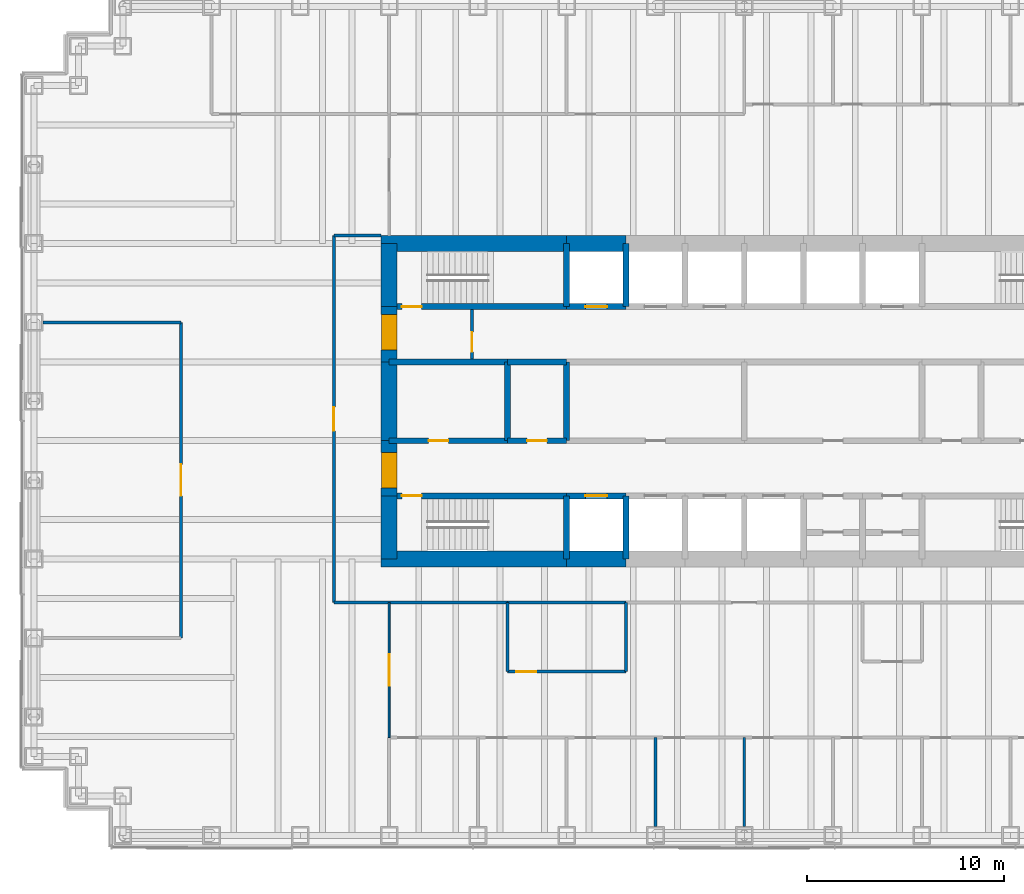
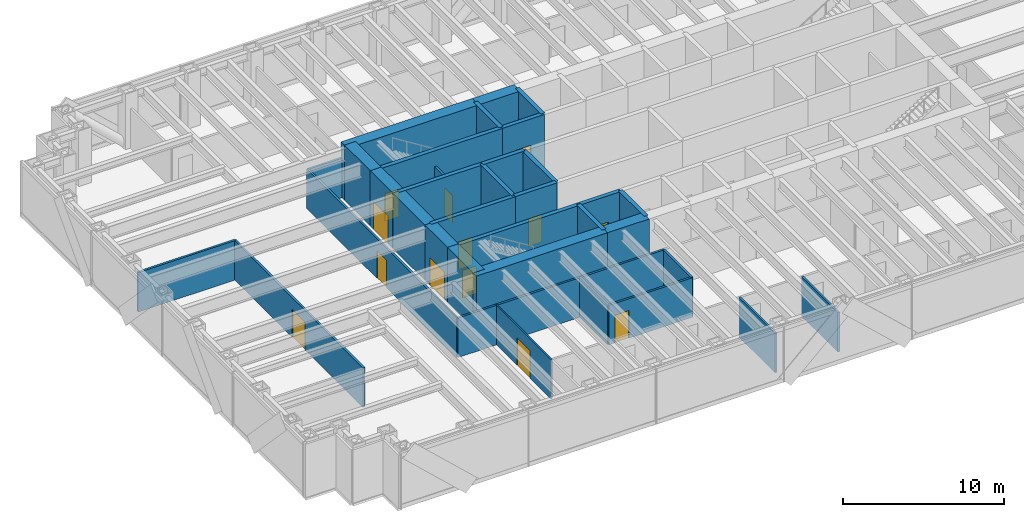
# One storey, part 10 of 14: 36 walls, 13 doors, 13 openings.
"""IFC4 building model written with IfcOpenShell, lengths in metres."""

from ifc_helpers import new_model, si_unit, direction, frame, frame_2d, origin, place, context, subcontext, project, spatial, rectangle, extrude, material, layer, layer_set, type_object, element, fill, save


model = new_model("IFC4")

# Units and contexts
model_context = context("Model", 3, precision=1e-05, world=origin(), true_north=direction((0.0, 1.0)))
body_context = subcontext(model_context, "Body", "Model", "MODEL_VIEW")
ifc_project = project(units=[si_unit("LENGTHUNIT", "METRE"), si_unit("AREAUNIT", "SQUARE_METRE"), si_unit("VOLUMEUNIT", "CUBIC_METRE"), si_unit("PLANEANGLEUNIT", "RADIAN"), si_unit("MASSUNIT", "GRAM", prefix="KILO")], contexts=[model_context])

# Site, building, storey
site_placement = place(None, origin())
site = spatial("IfcSite", under=ifc_project, at=site_placement, CompositionType="ELEMENT")
building_placement = place(site_placement, origin())
building = spatial("IfcBuilding", under=site, at=building_placement, Name="Rheinbord Bourse Tower", CompositionType="ELEMENT")
storey_placement = place(building_placement, frame((0.0, 0.0, 211.0)))
storey = spatial("IfcBuildingStorey", under=building, at=storey_placement, Name="L47", CompositionType="ELEMENT", Elevation=211.0)

# Wall, opening, door
ifc_material_1 = material(Name="Concrete C50/60", Category="concrete")
ifc_layer_1 = layer(ifc_material_1, 0.300048828125)
ifc_layer_set_1 = layer_set([ifc_layer_1], Name="CORE INNER WALL 300")
wall_type_1 = type_object("IfcWallType", Name="CORE INNER WALL 300", PredefinedType="SOLIDWALL", material=ifc_layer_set_1)
wall_1_placement = place(storey_placement, frame((18.0, 19.199951171875, 0.0), z_axis=(0.0, 0.0, 1.0), x_axis=(1.0, 0.0, 0.0)))
wall_1 = element("IfcWall", 1, at=wall_1_placement, inside=storey, type_object=wall_type_1, Name="Core wall A1 L47", PredefinedType="SOLIDWALL", context=body_context, shape_type="SweptSolid", body=[
    extrude(rectangle(XDim=9.0, YDim=0.300048828125, at=frame_2d((4.5, 0.0))), origin(), (0.0, 0.0, 1.0), 4.199951171875),
])
opening_1_placement = place(wall_1_placement, frame((0.64990234375, 0.0, 0.0)))
opening_1 = element("IfcOpeningElement", 2, at=opening_1_placement, cuts=wall_1, Name="Opening 4710", PredefinedType="OPENING", context=body_context, shape_type="SweptSolid", body=[
    extrude(rectangle(XDim=1.0, YDim=2.10009765625, at=frame_2d((0.5, 1.050048828125))), frame((0.0, 0.159912109375, 0.0), z_axis=(0.0, -1.0, 0.0), x_axis=(1.0, 0.0, 0.0)), (0.0, 0.0, 1.0), 0.320068359375),
])
ifc_material_2 = material(Name="Steel door", Category="steel")
door_type_1 = type_object("IfcDoorType", Name="DOOR 1000 EI30", OperationType="SINGLE_SWING_LEFT", PredefinedType="DOOR", material=ifc_material_2)
door_1_placement = place(opening_1_placement, origin())
door_1 = element("IfcDoor", 3, at=door_1_placement, inside=storey, type_object=door_type_1, Name="Stair door ST1 L47", OperationType="SINGLE_SWING_LEFT", OverallHeight=2.10009765625, OverallWidth=1.0, PredefinedType="DOOR", context=body_context, shape_type="SweptSolid", body=[
    extrude(rectangle(XDim=1.0, YDim=2.10009765625, at=frame_2d((0.5, 1.050048828125))), frame((0.0, 0.02490234375, 0.0), z_axis=(0.0, -1.0, 0.0), x_axis=(1.0, 0.0, 0.0)), (0.0, 0.0, 1.0), 0.050048828125),
])
fill(opening_1, door_1)

wall_2_placement = place(storey_placement, frame((27.0, 19.199951171875, 0.0), z_axis=(0.0, 0.0, 1.0), x_axis=(1.0, 0.0, 0.0)))
wall_2 = element("IfcWall", 4, at=wall_2_placement, inside=storey, type_object=wall_type_1, Name="Core wall A2 L47", PredefinedType="SOLIDWALL", context=body_context, shape_type="SweptSolid", body=[
    extrude(rectangle(XDim=3.0, YDim=0.300048828125, at=frame_2d((1.5, 0.0))), origin(), (0.0, 0.0, 1.0), 4.199951171875),
])
opening_2_placement = place(wall_2_placement, frame((0.949951171875, 0.0, 0.0)))
opening_2 = element("IfcOpeningElement", 5, at=opening_2_placement, cuts=wall_2, Name="Opening FL1", PredefinedType="OPENING", context=body_context, shape_type="SweptSolid", body=[
    extrude(rectangle(XDim=1.10009765625, YDim=2.199951171875, at=frame_2d((0.550048828125, 1.10009765625))), frame((0.0, 0.159912109375, 0.0), z_axis=(0.0, -1.0, 0.0), x_axis=(1.0, 0.0, 0.0)), (0.0, 0.0, 1.0), 0.320068359375),
])
ifc_material_3 = material(Name="Steel landing door", Category="steel")
door_type_2 = type_object("IfcDoorType", Name="LIFT LANDING DOOR 1100", OperationType="DOUBLE_DOOR_SLIDING", PredefinedType="USERDEFINED", material=ifc_material_3)
door_2_placement = place(opening_2_placement, origin())
door_2 = element("IfcDoor", 6, at=door_2_placement, inside=storey, type_object=door_type_2, Name="Lift landing door FL1 L47", ObjectType="LIFT LANDING DOOR", OperationType="DOUBLE_DOOR_SLIDING", OverallHeight=2.199951171875, OverallWidth=1.10009765625, PredefinedType="USERDEFINED", context=body_context, shape_type="SweptSolid", body=[
    extrude(rectangle(XDim=1.10009765625, YDim=2.199951171875, at=frame_2d((0.550048828125, 1.10009765625))), frame((0.0, 0.02490234375, 0.0), z_axis=(0.0, -1.0, 0.0), x_axis=(1.0, 0.0, 0.0)), (0.0, 0.0, 1.0), 0.050048828125),
])
fill(opening_2, door_2)

wall_3_placement = place(storey_placement, frame((18.0, 28.800048828125, 0.0), z_axis=(0.0, 0.0, 1.0), x_axis=(1.0, 0.0, 0.0)))
wall_3 = element("IfcWall", 7, at=wall_3_placement, inside=storey, type_object=wall_type_1, Name="Core wall B1 L47", PredefinedType="SOLIDWALL", context=body_context, shape_type="SweptSolid", body=[
    extrude(rectangle(XDim=9.0, YDim=0.300048828125, at=frame_2d((4.5, 0.0))), origin(), (0.0, 0.0, 1.0), 4.199951171875),
])
opening_3_placement = place(wall_3_placement, frame((0.64990234375, 0.0, 0.0)))
opening_3 = element("IfcOpeningElement", 8, at=opening_3_placement, cuts=wall_3, Name="Opening 4720", PredefinedType="OPENING", context=body_context, shape_type="SweptSolid", body=[
    extrude(rectangle(XDim=1.0, YDim=2.10009765625, at=frame_2d((0.5, 1.050048828125))), frame((0.0, 0.159912109375, 0.0), z_axis=(0.0, -1.0, 0.0), x_axis=(1.0, 0.0, 0.0)), (0.0, 0.0, 1.0), 0.320068359375),
])
door_3_placement = place(opening_3_placement, origin())
door_3 = element("IfcDoor", 9, at=door_3_placement, inside=storey, type_object=door_type_1, Name="Stair door ST2 L47", OperationType="SINGLE_SWING_LEFT", OverallHeight=2.10009765625, OverallWidth=1.0, PredefinedType="DOOR", context=body_context, shape_type="SweptSolid", body=[
    extrude(rectangle(XDim=1.0, YDim=2.10009765625, at=frame_2d((0.5, 1.050048828125))), frame((0.0, 0.02490234375, 0.0), z_axis=(0.0, -1.0, 0.0), x_axis=(1.0, 0.0, 0.0)), (0.0, 0.0, 1.0), 0.050048828125),
])
fill(opening_3, door_3)

wall_4_placement = place(storey_placement, frame((27.0, 28.800048828125, 0.0), z_axis=(0.0, 0.0, 1.0), x_axis=(1.0, 0.0, 0.0)))
wall_4 = element("IfcWall", 10, at=wall_4_placement, inside=storey, type_object=wall_type_1, Name="Core wall B2 L47", PredefinedType="SOLIDWALL", context=body_context, shape_type="SweptSolid", body=[
    extrude(rectangle(XDim=3.0, YDim=0.300048828125, at=frame_2d((1.5, 0.0))), origin(), (0.0, 0.0, 1.0), 4.199951171875),
])
opening_4_placement = place(wall_4_placement, frame((0.949951171875, 0.0, 0.0)))
opening_4 = element("IfcOpeningElement", 11, at=opening_4_placement, cuts=wall_4, Name="Opening GL1", PredefinedType="OPENING", context=body_context, shape_type="SweptSolid", body=[
    extrude(rectangle(XDim=1.10009765625, YDim=2.199951171875, at=frame_2d((0.550048828125, 1.10009765625))), frame((0.0, 0.159912109375, 0.0), z_axis=(0.0, -1.0, 0.0), x_axis=(1.0, 0.0, 0.0)), (0.0, 0.0, 1.0), 0.320068359375),
])
door_4_placement = place(opening_4_placement, origin())
door_4 = element("IfcDoor", 12, at=door_4_placement, inside=storey, type_object=door_type_2, Name="Lift landing door GL1 L47", ObjectType="LIFT LANDING DOOR", OperationType="DOUBLE_DOOR_SLIDING", OverallHeight=2.199951171875, OverallWidth=1.10009765625, PredefinedType="USERDEFINED", context=body_context, shape_type="SweptSolid", body=[
    extrude(rectangle(XDim=1.10009765625, YDim=2.199951171875, at=frame_2d((0.550048828125, 1.10009765625))), frame((0.0, 0.02490234375, 0.0), z_axis=(0.0, -1.0, 0.0), x_axis=(1.0, 0.0, 0.0)), (0.0, 0.0, 1.0), 0.050048828125),
])
fill(opening_4, door_4)

wall_5_placement = place(storey_placement, frame((18.0, 22.0, 0.0), z_axis=(0.0, 0.0, 1.0), x_axis=(1.0, 0.0, 0.0)))
wall_5 = element("IfcWall", 13, at=wall_5_placement, inside=storey, type_object=wall_type_1, Name="Core wall C1 L47", PredefinedType="SOLIDWALL", context=body_context, shape_type="SweptSolid", body=[
    extrude(rectangle(XDim=6.0, YDim=0.300048828125, at=frame_2d((3.0, 0.0))), origin(), (0.0, 0.0, 1.0), 4.199951171875),
])
opening_5_placement = place(wall_5_placement, frame((2.0, 0.0, 0.0)))
opening_5 = element("IfcOpeningElement", 14, at=opening_5_placement, cuts=wall_5, Name="Opening 47R1", PredefinedType="OPENING", context=body_context, shape_type="SweptSolid", body=[
    extrude(rectangle(XDim=1.0, YDim=2.10009765625, at=frame_2d((0.5, 1.050048828125))), frame((0.0, 0.159912109375, 0.0), z_axis=(0.0, -1.0, 0.0), x_axis=(1.0, 0.0, 0.0)), (0.0, 0.0, 1.0), 0.320068359375),
])
ifc_material_4 = material(Name="Timber door", Category="wood")
door_type_3 = type_object("IfcDoorType", Name="DOOR 1000 WC", OperationType="SINGLE_SWING_LEFT", PredefinedType="DOOR", material=ifc_material_4)
door_5_placement = place(opening_5_placement, origin())
door_5 = element("IfcDoor", 15, at=door_5_placement, inside=storey, type_object=door_type_3, Name="WC men door L47", OperationType="SINGLE_SWING_LEFT", OverallHeight=2.10009765625, OverallWidth=1.0, PredefinedType="DOOR", context=body_context, shape_type="SweptSolid", body=[
    extrude(rectangle(XDim=1.0, YDim=2.10009765625, at=frame_2d((0.5, 1.050048828125))), frame((0.0, 0.02490234375, 0.0), z_axis=(0.0, -1.0, 0.0), x_axis=(1.0, 0.0, 0.0)), (0.0, 0.0, 1.0), 0.050048828125),
])
fill(opening_5, door_5)

wall_6_placement = place(storey_placement, frame((24.0, 22.0, 0.0), z_axis=(0.0, 0.0, 1.0), x_axis=(1.0, 0.0, 0.0)))
wall_6 = element("IfcWall", 16, at=wall_6_placement, inside=storey, type_object=wall_type_1, Name="Core wall C2 L47", PredefinedType="SOLIDWALL", context=body_context, shape_type="SweptSolid", body=[
    extrude(rectangle(XDim=3.0, YDim=0.300048828125, at=frame_2d((1.5, 0.0))), origin(), (0.0, 0.0, 1.0), 4.199951171875),
])
opening_6_placement = place(wall_6_placement, frame((1.0, 0.0, 0.0)))
opening_6 = element("IfcOpeningElement", 17, at=opening_6_placement, cuts=wall_6, Name="Opening 47R2", PredefinedType="OPENING", context=body_context, shape_type="SweptSolid", body=[
    extrude(rectangle(XDim=1.0, YDim=2.10009765625, at=frame_2d((0.5, 1.050048828125))), frame((0.0, 0.159912109375, 0.0), z_axis=(0.0, -1.0, 0.0), x_axis=(1.0, 0.0, 0.0)), (0.0, 0.0, 1.0), 0.320068359375),
])
door_6_placement = place(opening_6_placement, origin())
door_6 = element("IfcDoor", 18, at=door_6_placement, inside=storey, type_object=door_type_1, Name="First aid room door L47", OperationType="SINGLE_SWING_LEFT", OverallHeight=2.10009765625, OverallWidth=1.0, PredefinedType="DOOR", context=body_context, shape_type="SweptSolid", body=[
    extrude(rectangle(XDim=1.0, YDim=2.10009765625, at=frame_2d((0.5, 1.050048828125))), frame((0.0, 0.02490234375, 0.0), z_axis=(0.0, -1.0, 0.0), x_axis=(1.0, 0.0, 0.0)), (0.0, 0.0, 1.0), 0.050048828125),
])
fill(opening_6, door_6)

# Walls
wall_7_placement = place(storey_placement, frame((18.0, 26.0, 0.0), z_axis=(0.0, 0.0, 1.0), x_axis=(1.0, 0.0, 0.0)))
element("IfcWall", 19, at=wall_7_placement, inside=storey, type_object=wall_type_1, Name="Core wall D1 L47", PredefinedType="SOLIDWALL", context=body_context, shape_type="SweptSolid", body=[
    extrude(rectangle(XDim=6.0, YDim=0.300048828125, at=frame_2d((3.0, 0.0))), origin(), (0.0, 0.0, 1.0), 4.199951171875),
])
wall_8_placement = place(storey_placement, frame((24.0, 26.0, 0.0), z_axis=(0.0, 0.0, 1.0), x_axis=(1.0, 0.0, 0.0)))
element("IfcWall", 20, at=wall_8_placement, inside=storey, type_object=wall_type_1, Name="Core wall D2 L47", PredefinedType="SOLIDWALL", context=body_context, shape_type="SweptSolid", body=[
    extrude(rectangle(XDim=3.0, YDim=0.300048828125, at=frame_2d((1.5, 0.0))), origin(), (0.0, 0.0, 1.0), 4.199951171875),
])
for number, where, z_axis, x_axis, name in (
    (21, (27.0, 16.0, 0.0), (0.0, 0.0, 1.0), (0.0, 1.0, 0.0), "Core wall SX27 L47"),
    (22, (27.0, 28.800048828125, 0.0), (0.0, 0.0, 1.0), (0.0, 1.0, 0.0), "Core wall NX27 L47"),
    (23, (30.0, 16.0, 0.0), (0.0, 0.0, 1.0), (0.0, 1.0, 0.0), "Core wall SX30 L47"),
    (24, (30.0, 28.800048828125, 0.0), (0.0, 0.0, 1.0), (0.0, 1.0, 0.0), "Core wall NX30 L47"),
):
    element("IfcWall", number, at=place(storey_placement, frame(where, z_axis=z_axis, x_axis=x_axis)), inside=storey, type_object=wall_type_1, Name=name, PredefinedType="SOLIDWALL", context=body_context, shape_type="SweptSolid", body=[
        extrude(rectangle(XDim=3.199951171875, YDim=0.300048828125, at=frame_2d((1.60009765625, 0.0))), origin(), (0.0, 0.0, 1.0), 4.199951171875),
    ])
for number, where, z_axis, x_axis, name in (
    (25, (24.0, 22.0, 0.0), (0.0, 0.0, 1.0), (0.0, 1.0, 0.0), "Core wall MX24 L47"),
    (26, (27.0, 22.0, 0.0), (0.0, 0.0, 1.0), (0.0, 1.0, 0.0), "Core wall MX27 L47"),
):
    element("IfcWall", number, at=place(storey_placement, frame(where, z_axis=z_axis, x_axis=x_axis)), inside=storey, type_object=wall_type_1, Name=name, PredefinedType="SOLIDWALL", context=body_context, shape_type="SweptSolid", body=[
        extrude(rectangle(XDim=4.0, YDim=0.300048828125, at=frame_2d((2.0, 0.0))), origin(), (0.0, 0.0, 1.0), 4.199951171875),
    ])

# Wall, opening, door
ifc_material_5 = material(Name="Gypsum board fire partition", Category="gypsum board")
ifc_layer_2 = layer(ifc_material_5, 0.14990234375)
ifc_layer_set_2 = layer_set([ifc_layer_2], Name="CORE PARTITION 150 EI30")
wall_type_2 = type_object("IfcWallType", Name="CORE PARTITION 150 EI30", PredefinedType="PARTITIONING", material=ifc_layer_set_2)
wall_9_placement = place(storey_placement, frame((22.199951171875, 26.14990234375, 0.0), z_axis=(0.0, 0.0, 1.0), x_axis=(0.0, 1.0, 0.0)))
wall_9 = element("IfcWall", 27, at=wall_9_placement, inside=storey, type_object=wall_type_2, Name="Core partition L47-5", PredefinedType="PARTITIONING", context=body_context, shape_type="SweptSolid", body=[
    extrude(rectangle(XDim=2.5, YDim=0.14990234375, at=frame_2d((1.25, 0.0))), origin(), (0.0, 0.0, 1.0), 3.0),
])
opening_7_placement = place(wall_9_placement, frame((0.35009765625, 0.0, 0.0)))
opening_7 = element("IfcOpeningElement", 28, at=opening_7_placement, cuts=wall_9, Name="Opening 47L6", PredefinedType="OPENING", context=body_context, shape_type="SweptSolid", body=[
    extrude(rectangle(XDim=1.0, YDim=2.10009765625, at=frame_2d((0.5, 1.050048828125))), frame((0.0, 0.0849609375, 0.0), z_axis=(0.0, -1.0, 0.0), x_axis=(1.0, 0.0, 0.0)), (0.0, 0.0, 1.0), 0.169921875),
])
door_7_placement = place(opening_7_placement, origin())
door_7 = element("IfcDoor", 29, at=door_7_placement, inside=storey, type_object=door_type_1, Name="Stair lobby door L47", OperationType="SINGLE_SWING_LEFT", OverallHeight=2.10009765625, OverallWidth=1.0, PredefinedType="DOOR", context=body_context, shape_type="SweptSolid", body=[
    extrude(rectangle(XDim=1.0, YDim=2.10009765625, at=frame_2d((0.5, 1.050048828125))), frame((0.0, 0.02490234375, 0.0), z_axis=(0.0, -1.0, 0.0), x_axis=(1.0, 0.0, 0.0)), (0.0, 0.0, 1.0), 0.050048828125),
])
fill(opening_7, door_7)

# Walls
ifc_material_6 = material(Name="Concrete C50/60", Category="concrete")
ifc_layer_3 = layer(ifc_material_6, 0.800048828125)
ifc_layer_set_3 = layer_set([ifc_layer_3], Name="CORE WALL 800")
wall_type_3 = type_object("IfcWallType", Name="CORE WALL 800", PredefinedType="SHEAR", material=ifc_layer_set_3)
wall_10_placement = place(storey_placement, frame((17.60009765625, 16.0, 0.0), z_axis=(0.0, 0.0, 1.0), x_axis=(1.0, 0.0, 0.0)))
element("IfcWall", 30, at=wall_10_placement, inside=storey, type_object=wall_type_3, Name="Core wall S1 L47", PredefinedType="SHEAR", context=body_context, shape_type="SweptSolid", body=[
    extrude(rectangle(XDim=9.39990234375, YDim=0.800048828125, at=frame_2d((4.699951171875, 0.0))), origin(), (0.0, 0.0, 1.0), 4.199951171875),
])
for number, where, z_axis, x_axis, name in (
    (31, (27.0, 16.0, 0.0), (0.0, 0.0, 1.0), (1.0, 0.0, 0.0), "Core wall S2 L47"),
    (32, (30.0, 32.0, 0.0), (0.0, 0.0, 1.0), (-1.0, 0.0, 0.0), "Core wall N7 L47"),
):
    element("IfcWall", number, at=place(storey_placement, frame(where, z_axis=z_axis, x_axis=x_axis)), inside=storey, type_object=wall_type_3, Name=name, PredefinedType="SHEAR", context=body_context, shape_type="SweptSolid", body=[
        extrude(rectangle(XDim=3.0, YDim=0.800048828125, at=frame_2d((1.5, 0.0))), origin(), (0.0, 0.0, 1.0), 4.199951171875),
    ])
wall_11_placement = place(storey_placement, frame((27.0, 32.0, 0.0), z_axis=(0.0, 0.0, 1.0), x_axis=(-1.0, 0.0, 0.0)))
element("IfcWall", 33, at=wall_11_placement, inside=storey, type_object=wall_type_3, Name="Core wall N8 L47", PredefinedType="SHEAR", context=body_context, shape_type="SweptSolid", body=[
    extrude(rectangle(XDim=9.39990234375, YDim=0.800048828125, at=frame_2d((4.699951171875, 0.0))), origin(), (0.0, 0.0, 1.0), 4.199951171875),
])
wall_12_placement = place(storey_placement, frame((18.0, 32.0, 0.0), z_axis=(0.0, 0.0, 1.0), x_axis=(0.0, -1.0, 0.0)))
element("IfcWall", 34, at=wall_12_placement, inside=storey, type_object=wall_type_3, Name="Core wall W1 L47", PredefinedType="SHEAR", context=body_context, shape_type="SweptSolid", body=[
    extrude(rectangle(XDim=3.199951171875, YDim=0.800048828125, at=frame_2d((1.60009765625, 0.0))), origin(), (0.0, 0.0, 1.0), 4.199951171875),
])

# Wall, opening, door
wall_13_placement = place(storey_placement, frame((18.0, 28.800048828125, 0.0), z_axis=(0.0, 0.0, 1.0), x_axis=(0.0, -1.0, 0.0)))
wall_13 = element("IfcWall", 35, at=wall_13_placement, inside=storey, type_object=wall_type_3, Name="Core wall W2 L47", PredefinedType="SHEAR", context=body_context, shape_type="SweptSolid", body=[
    extrude(rectangle(XDim=2.800048828125, YDim=0.800048828125, at=frame_2d((1.39990234375, 0.0))), origin(), (0.0, 0.0, 1.0), 4.199951171875),
])
opening_8_placement = place(wall_13_placement, frame((0.39990234375, 0.0, 0.0)))
opening_8 = element("IfcOpeningElement", 36, at=opening_8_placement, cuts=wall_13, Name="Opening 47L2", PredefinedType="OPENING", context=body_context, shape_type="SweptSolid", body=[
    extrude(rectangle(XDim=1.800048828125, YDim=2.10009765625, at=frame_2d((0.89990234375, 1.050048828125))), frame((0.0, 0.409912109375, 0.0), z_axis=(0.0, -1.0, 0.0), x_axis=(1.0, 0.0, 0.0)), (0.0, 0.0, 1.0), 0.820068359375),
])
ifc_material_7 = material(Name="Steel door", Category="steel")
door_type_4 = type_object("IfcDoorType", Name="DOOR 1800 EI30 DOUBLE", OperationType="DOUBLE_DOOR_DOUBLE_SWING", PredefinedType="DOOR", material=ifc_material_7)
door_8_placement = place(opening_8_placement, origin())
door_8 = element("IfcDoor", 37, at=door_8_placement, inside=storey, type_object=door_type_4, Name="Lobby door 2 L47", OperationType="SINGLE_SWING_LEFT", OverallHeight=2.10009765625, OverallWidth=1.800048828125, PredefinedType="DOOR", context=body_context, shape_type="SweptSolid", body=[
    extrude(rectangle(XDim=1.800048828125, YDim=2.10009765625, at=frame_2d((0.89990234375, 1.050048828125))), frame((0.0, 0.39990234375, 0.0), z_axis=(0.0, -1.0, 0.0), x_axis=(1.0, 0.0, 0.0)), (0.0, 0.0, 1.0), 0.799560546875),
])
fill(opening_8, door_8)

# Wall
wall_14_placement = place(storey_placement, frame((18.0, 26.0, 0.0), z_axis=(0.0, 0.0, 1.0), x_axis=(0.0, -1.0, 0.0)))
element("IfcWall", 38, at=wall_14_placement, inside=storey, type_object=wall_type_3, Name="Core wall W3 L47", PredefinedType="SHEAR", context=body_context, shape_type="SweptSolid", body=[
    extrude(rectangle(XDim=4.0, YDim=0.800048828125, at=frame_2d((2.0, 0.0))), origin(), (0.0, 0.0, 1.0), 4.199951171875),
])

# Wall, opening, door
wall_15_placement = place(storey_placement, frame((18.0, 22.0, 0.0), z_axis=(0.0, 0.0, 1.0), x_axis=(0.0, -1.0, 0.0)))
wall_15 = element("IfcWall", 39, at=wall_15_placement, inside=storey, type_object=wall_type_3, Name="Core wall W4 L47", PredefinedType="SHEAR", context=body_context, shape_type="SweptSolid", body=[
    extrude(rectangle(XDim=2.800048828125, YDim=0.800048828125, at=frame_2d((1.39990234375, 0.0))), origin(), (0.0, 0.0, 1.0), 4.199951171875),
])
opening_9_placement = place(wall_15_placement, frame((0.60009765625, 0.0, 0.0)))
opening_9 = element("IfcOpeningElement", 40, at=opening_9_placement, cuts=wall_15, Name="Opening 47L1", PredefinedType="OPENING", context=body_context, shape_type="SweptSolid", body=[
    extrude(rectangle(XDim=1.800048828125, YDim=2.10009765625, at=frame_2d((0.89990234375, 1.050048828125))), frame((0.0, 0.409912109375, 0.0), z_axis=(0.0, -1.0, 0.0), x_axis=(1.0, 0.0, 0.0)), (0.0, 0.0, 1.0), 0.820068359375),
])
door_9_placement = place(opening_9_placement, origin())
door_9 = element("IfcDoor", 41, at=door_9_placement, inside=storey, type_object=door_type_4, Name="Lobby door 1 L47", OperationType="SINGLE_SWING_LEFT", OverallHeight=2.10009765625, OverallWidth=1.800048828125, PredefinedType="DOOR", context=body_context, shape_type="SweptSolid", body=[
    extrude(rectangle(XDim=1.800048828125, YDim=2.10009765625, at=frame_2d((0.89990234375, 1.050048828125))), frame((0.0, 0.39990234375, 0.0), z_axis=(0.0, -1.0, 0.0), x_axis=(1.0, 0.0, 0.0)), (0.0, 0.0, 1.0), 0.799560546875),
])
fill(opening_9, door_9)

# Walls
wall_16_placement = place(storey_placement, frame((18.0, 19.199951171875, 0.0), z_axis=(0.0, 0.0, 1.0), x_axis=(0.0, -1.0, 0.0)))
element("IfcWall", 42, at=wall_16_placement, inside=storey, type_object=wall_type_3, Name="Core wall W5 L47", PredefinedType="SHEAR", context=body_context, shape_type="SweptSolid", body=[
    extrude(rectangle(XDim=3.199951171875, YDim=0.800048828125, at=frame_2d((1.60009765625, 0.0))), origin(), (0.0, 0.0, 1.0), 4.199951171875),
])
ifc_material_8 = material(Name="Gypsum board corridor partition", Category="gypsum board")
ifc_layer_4 = layer(ifc_material_8, 0.14990234375)
ifc_layer_set_4 = layer_set([ifc_layer_4], Name="CORRIDOR PARTITION 150 EI30")
wall_type_4 = type_object("IfcWallType", Name="CORRIDOR PARTITION 150 EI30", PredefinedType="PARTITIONING", material=ifc_layer_set_4)
wall_17_placement = place(storey_placement, frame((15.199951171875, 13.800048828125, 0.0), z_axis=(0.0, 0.0, 1.0), x_axis=(1.0, 0.0, 0.0)))
element("IfcWall", 43, at=wall_17_placement, inside=storey, type_object=wall_type_4, Name="Partition L47-06", PredefinedType="PARTITIONING", context=body_context, shape_type="SweptSolid", body=[
    extrude(rectangle(XDim=8.800048828125, YDim=0.14990234375, at=frame_2d((4.39990234375, 0.0))), origin(), (0.0, 0.0, 1.0), 3.0),
])
wall_18_placement = place(storey_placement, frame((15.199951171875, 32.39990234375, 0.0), z_axis=(0.0, 0.0, 1.0), x_axis=(1.0, 0.0, 0.0)))
element("IfcWall", 44, at=wall_18_placement, inside=storey, type_object=wall_type_4, Name="Partition L47-13", PredefinedType="PARTITIONING", context=body_context, shape_type="SweptSolid", body=[
    extrude(rectangle(XDim=2.400146484375, YDim=0.14990234375, at=frame_2d((1.2001953125, 0.0))), origin(), (0.0, 0.0, 1.0), 3.0),
])

# Wall, opening, door
wall_19_placement = place(storey_placement, frame((15.199951171875, 13.800048828125, 0.0), z_axis=(0.0, 0.0, 1.0), x_axis=(0.0, 1.0, 0.0)))
wall_19 = element("IfcWall", 45, at=wall_19_placement, inside=storey, type_object=wall_type_4, Name="Partition L47-19", PredefinedType="PARTITIONING", context=body_context, shape_type="SweptSolid", body=[
    extrude(rectangle(XDim=18.599853515625, YDim=0.14990234375, at=frame_2d((9.2998046875, 0.0))), origin(), (0.0, 0.0, 1.0), 3.0),
])
opening_10_placement = place(wall_19_placement, frame((8.699951171875, 0.0, 0.0)))
opening_10 = element("IfcOpeningElement", 46, at=opening_10_placement, cuts=wall_19, Name="Opening 47D27", PredefinedType="OPENING", context=body_context, shape_type="SweptSolid", body=[
    extrude(rectangle(XDim=1.199951171875, YDim=2.10009765625, at=frame_2d((0.60009765625, 1.050048828125))), frame((0.0, 0.0849609375, 0.0), z_axis=(0.0, -1.0, 0.0), x_axis=(1.0, 0.0, 0.0)), (0.0, 0.0, 1.0), 0.169921875),
])
ifc_material_9 = material(Name="Timber fire door", Category="wood")
door_type_5 = type_object("IfcDoorType", Name="SUITE ENTRANCE DOOR 1200 EI30", OperationType="SINGLE_SWING_LEFT", PredefinedType="DOOR", material=ifc_material_9)
door_10_placement = place(opening_10_placement, origin())
door_10 = element("IfcDoor", 47, at=door_10_placement, inside=storey, type_object=door_type_5, Name="Suite entrance 1 door L47", OperationType="SINGLE_SWING_LEFT", OverallHeight=2.10009765625, OverallWidth=1.199951171875, PredefinedType="DOOR", context=body_context, shape_type="SweptSolid", body=[
    extrude(rectangle(XDim=1.199951171875, YDim=2.10009765625, at=frame_2d((0.60009765625, 1.050048828125))), frame((0.0, 0.02490234375, 0.0), z_axis=(0.0, -1.0, 0.0), x_axis=(1.0, 0.0, 0.0)), (0.0, 0.0, 1.0), 0.050048828125),
])
fill(opening_10, door_10)

ifc_material_10 = material(Name="Gypsum board fire partition", Category="gypsum board")
ifc_layer_5 = layer(ifc_material_10, 0.14990234375)
ifc_layer_set_5 = layer_set([ifc_layer_5], Name="FIRE PARTITION 150 EI60")
wall_type_5 = type_object("IfcWallType", Name="FIRE PARTITION 150 EI60", PredefinedType="PARTITIONING", material=ifc_layer_set_5)
wall_20_placement = place(storey_placement, frame((24.0, 10.300048828125, 0.0), z_axis=(0.0, 0.0, 1.0), x_axis=(1.0, 0.0, 0.0)))
wall_20 = element("IfcWall", 48, at=wall_20_placement, inside=storey, type_object=wall_type_5, Name="Partition L47-03", PredefinedType="PARTITIONING", context=body_context, shape_type="SweptSolid", body=[
    extrude(rectangle(XDim=6.0, YDim=0.14990234375, at=frame_2d((3.0, 0.0))), origin(), (0.0, 0.0, 1.0), 3.0),
])
opening_11_placement = place(wall_20_placement, frame((0.449951171875, 0.0, 0.0)))
opening_11 = element("IfcOpeningElement", 49, at=opening_11_placement, cuts=wall_20, Name="Opening 47D09", PredefinedType="OPENING", context=body_context, shape_type="SweptSolid", body=[
    extrude(rectangle(XDim=1.0, YDim=2.10009765625, at=frame_2d((0.5, 1.050048828125))), frame((0.0, 0.0849609375, 0.0), z_axis=(0.0, -1.0, 0.0), x_axis=(1.0, 0.0, 0.0)), (0.0, 0.0, 1.0), 0.169921875),
])
ifc_material_11 = material(Name="Timber fire door", Category="wood")
door_type_6 = type_object("IfcDoorType", Name="FIRE DOOR 1000 EI60", OperationType="SINGLE_SWING_LEFT", PredefinedType="DOOR", material=ifc_material_11)
door_11_placement = place(opening_11_placement, origin())
door_11 = element("IfcDoor", 50, at=door_11_placement, inside=storey, type_object=door_type_6, Name="File room door L47", OperationType="SINGLE_SWING_LEFT", OverallHeight=2.10009765625, OverallWidth=1.0, PredefinedType="DOOR", context=body_context, shape_type="SweptSolid", body=[
    extrude(rectangle(XDim=1.0, YDim=2.10009765625, at=frame_2d((0.5, 1.050048828125))), frame((0.0, 0.02490234375, 0.0), z_axis=(0.0, -1.0, 0.0), x_axis=(1.0, 0.0, 0.0)), (0.0, 0.0, 1.0), 0.050048828125),
])
fill(opening_11, door_11)

# Walls
wall_21_placement = place(storey_placement, frame((24.0, 13.800048828125, 0.0), z_axis=(0.0, 0.0, 1.0), x_axis=(1.0, 0.0, 0.0)))
element("IfcWall", 51, at=wall_21_placement, inside=storey, type_object=wall_type_5, Name="Partition L47-07", PredefinedType="PARTITIONING", context=body_context, shape_type="SweptSolid", body=[
    extrude(rectangle(XDim=6.0, YDim=0.14990234375, at=frame_2d((3.0, 0.0))), origin(), (0.0, 0.0, 1.0), 3.0),
])
for number, where, z_axis, x_axis, name in (
    (52, (24.0, 10.300048828125, 0.0), (0.0, 0.0, 1.0), (0.0, 1.0, 0.0), "Partition L47-25"),
    (53, (30.0, 10.300048828125, 0.0), (0.0, 0.0, 1.0), (0.0, 1.0, 0.0), "Partition L47-28"),
):
    element("IfcWall", number, at=place(storey_placement, frame(where, z_axis=z_axis, x_axis=x_axis)), inside=storey, type_object=wall_type_5, Name=name, PredefinedType="PARTITIONING", context=body_context, shape_type="SweptSolid", body=[
        extrude(rectangle(XDim=3.5, YDim=0.14990234375, at=frame_2d((1.75, 0.0))), origin(), (0.0, 0.0, 1.0), 3.0),
    ])

# Wall, opening, door
ifc_material_12 = material(Name="Toughened laminated glass partition", Category="glass")
ifc_layer_6 = layer(ifc_material_12, 0.10009765625)
ifc_layer_set_6 = layer_set([ifc_layer_6], Name="GLAZED PARTITION 100")
wall_type_6 = type_object("IfcWallType", Name="GLAZED PARTITION 100", PredefinedType="PARTITIONING", material=ifc_layer_set_6)
wall_22_placement = place(storey_placement, frame((18.0, 6.949951171875, 0.0), z_axis=(0.0, 0.0, 1.0), x_axis=(0.0, 1.0, 0.0)))
wall_22 = element("IfcWall", 54, at=wall_22_placement, inside=storey, type_object=wall_type_6, Name="Partition L47-21", PredefinedType="PARTITIONING", context=body_context, shape_type="SweptSolid", body=[
    extrude(rectangle(XDim=6.85009765625, YDim=0.10009765625, at=frame_2d((3.425048828125, 0.0))), origin(), (0.0, 0.0, 1.0), 3.0),
])
opening_12_placement = place(wall_22_placement, frame((2.625, 0.0, 0.0)))
opening_12 = element("IfcOpeningElement", 55, at=opening_12_placement, cuts=wall_22, Name="Opening 47D23", PredefinedType="OPENING", context=body_context, shape_type="SweptSolid", body=[
    extrude(rectangle(XDim=1.60009765625, YDim=2.10009765625, at=frame_2d((0.800048828125, 1.050048828125))), frame((0.0, 0.06005859375, 0.0), z_axis=(0.0, -1.0, 0.0), x_axis=(1.0, 0.0, 0.0)), (0.0, 0.0, 1.0), 0.1201171875),
])
ifc_material_13 = material(Name="Timber door", Category="wood")
door_type_7 = type_object("IfcDoorType", Name="DOUBLE ROOM DOOR 1600", OperationType="DOUBLE_DOOR_DOUBLE_SWING", PredefinedType="DOOR", material=ifc_material_13)
door_12_placement = place(opening_12_placement, origin())
door_12 = element("IfcDoor", 56, at=door_12_placement, inside=storey, type_object=door_type_7, Name="Open area door L47", OperationType="SINGLE_SWING_LEFT", OverallHeight=2.10009765625, OverallWidth=1.60009765625, PredefinedType="DOOR", context=body_context, shape_type="SweptSolid", body=[
    extrude(rectangle(XDim=1.60009765625, YDim=2.10009765625, at=frame_2d((0.800048828125, 1.050048828125))), frame((0.0, 0.02490234375, 0.0), z_axis=(0.0, -1.0, 0.0), x_axis=(1.0, 0.0, 0.0)), (0.0, 0.0, 1.0), 0.050048828125),
])
fill(opening_12, door_12)

# Wall
ifc_material_14 = material(Name="Gypsum board partition", Category="gypsum board")
ifc_layer_7 = layer(ifc_material_14, 0.14990234375)
ifc_layer_set_7 = layer_set([ifc_layer_7], Name="PARTITION 150")
wall_type_7 = type_object("IfcWallType", Name="PARTITION 150", PredefinedType="PARTITIONING", material=ifc_layer_set_7)
wall_23_placement = place(storey_placement, frame((0.449951171875, 28.0, 0.0), z_axis=(0.0, 0.0, 1.0), x_axis=(1.0, 0.0, 0.0)))
element("IfcWall", 57, at=wall_23_placement, inside=storey, type_object=wall_type_7, Name="Partition L47-11", PredefinedType="PARTITIONING", context=body_context, shape_type="SweptSolid", body=[
    extrude(rectangle(XDim=7.0, YDim=0.14990234375, at=frame_2d((3.5, 0.0))), origin(), (0.0, 0.0, 1.0), 3.0),
])

# Wall, opening, door
wall_24_placement = place(storey_placement, frame((7.449951171875, 12.0, 0.0), z_axis=(0.0, 0.0, 1.0), x_axis=(0.0, 1.0, 0.0)))
wall_24 = element("IfcWall", 58, at=wall_24_placement, inside=storey, type_object=wall_type_7, Name="Partition L47-17", PredefinedType="PARTITIONING", context=body_context, shape_type="SweptSolid", body=[
    extrude(rectangle(XDim=16.0, YDim=0.14990234375, at=frame_2d((8.0, 0.0))), origin(), (0.0, 0.0, 1.0), 3.0),
])
opening_13_placement = place(wall_24_placement, frame((7.199951171875, 0.0, 0.0)))
opening_13 = element("IfcOpeningElement", 59, at=opening_13_placement, cuts=wall_24, Name="Opening 47D12", PredefinedType="OPENING", context=body_context, shape_type="SweptSolid", body=[
    extrude(rectangle(XDim=1.60009765625, YDim=2.10009765625, at=frame_2d((0.800048828125, 1.050048828125))), frame((0.0, 0.0849609375, 0.0), z_axis=(0.0, -1.0, 0.0), x_axis=(1.0, 0.0, 0.0)), (0.0, 0.0, 1.0), 0.169921875),
])
door_13_placement = place(opening_13_placement, origin())
door_13 = element("IfcDoor", 60, at=door_13_placement, inside=storey, type_object=door_type_7, Name="Library door L47", OperationType="SINGLE_SWING_LEFT", OverallHeight=2.10009765625, OverallWidth=1.60009765625, PredefinedType="DOOR", context=body_context, shape_type="SweptSolid", body=[
    extrude(rectangle(XDim=1.60009765625, YDim=2.10009765625, at=frame_2d((0.800048828125, 1.050048828125))), frame((0.0, 0.02490234375, 0.0), z_axis=(0.0, -1.0, 0.0), x_axis=(1.0, 0.0, 0.0)), (0.0, 0.0, 1.0), 0.050048828125),
])
fill(opening_13, door_13)

# Walls
for number, where, z_axis, x_axis, name in (
    (61, (31.5, 2.449951171875, 0.0), (0.0, 0.0, 1.0), (0.0, 1.0, 0.0), "Partition L47-29"),
    (62, (36.0, 2.449951171875, 0.0), (0.0, 0.0, 1.0), (0.0, 1.0, 0.0), "Partition L47-30"),
):
    element("IfcWall", number, at=place(storey_placement, frame(where, z_axis=z_axis, x_axis=x_axis)), inside=storey, type_object=wall_type_7, Name=name, PredefinedType="PARTITIONING", context=body_context, shape_type="SweptSolid", body=[
        extrude(rectangle(XDim=4.5, YDim=0.14990234375, at=frame_2d((2.25, 0.0))), origin(), (0.0, 0.0, 1.0), 3.0),
    ])

save(model, "model.ifc")
